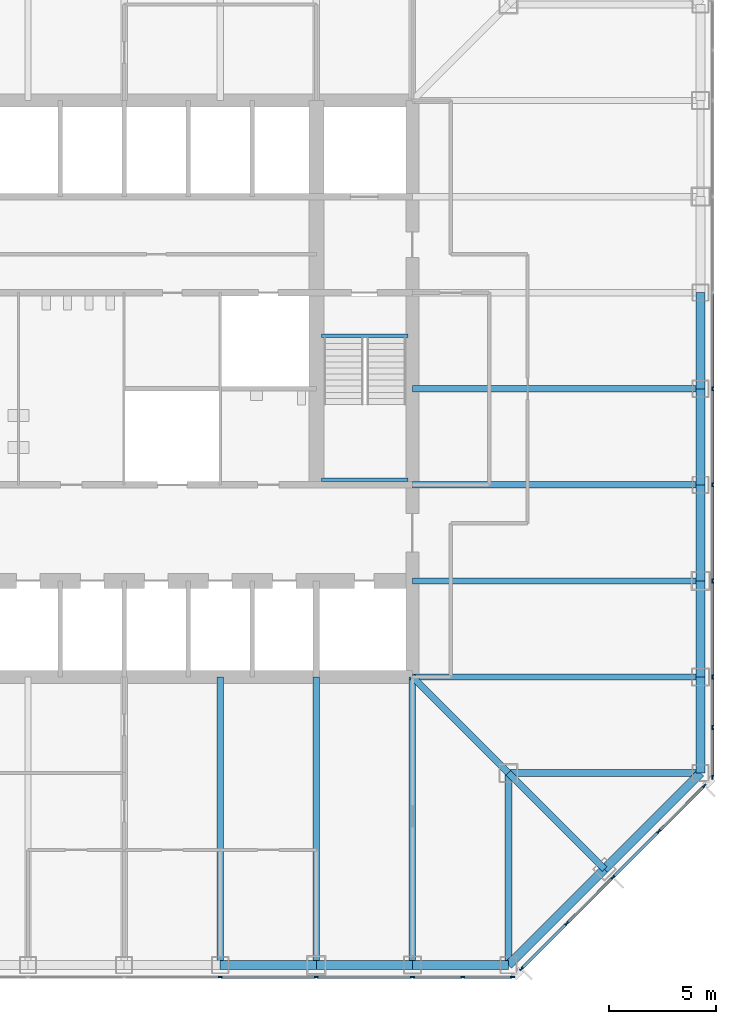
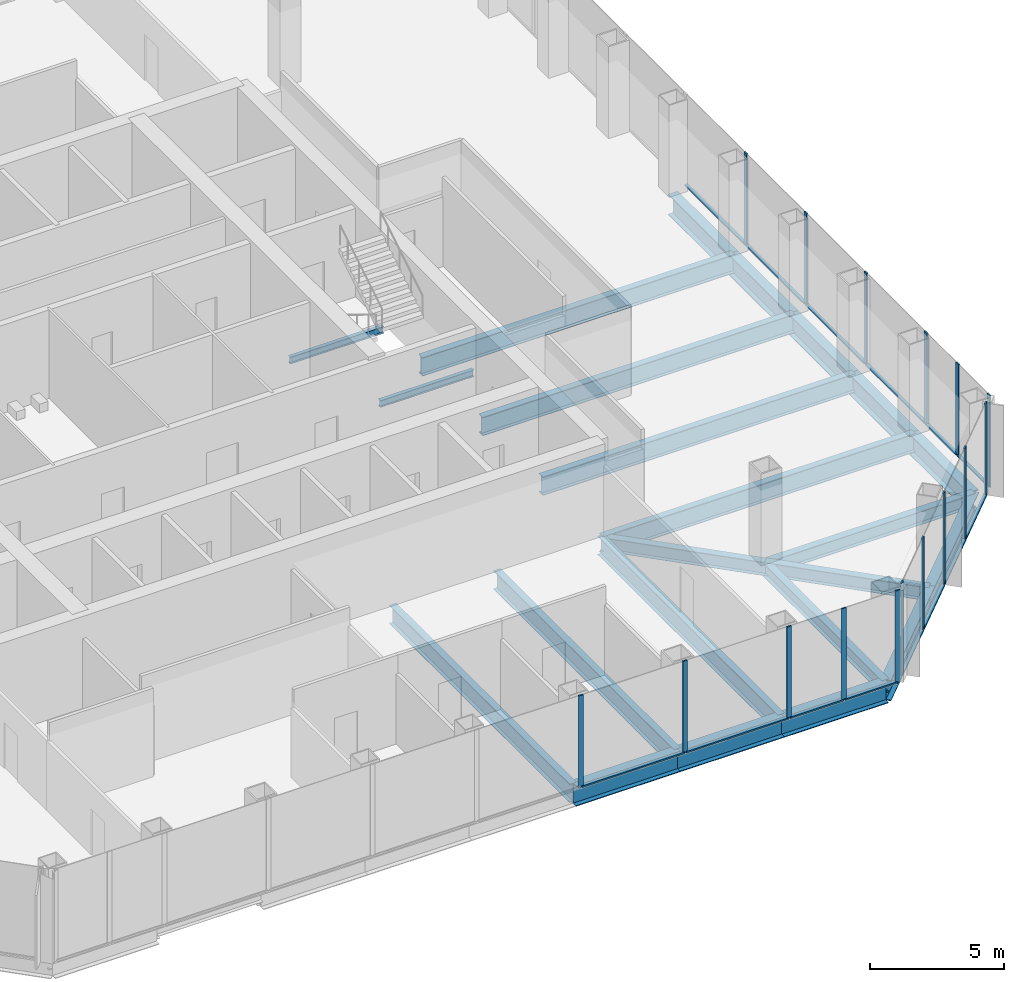
# One storey, part 4 of 12: 30 members, 23 beams, 3 elements without a shape of their own.
"""IFC4 building model written with IfcOpenShell, lengths in metres."""

from ifc_helpers import new_model, si_unit, direction, frame, origin, origin_2d, place, context, subcontext, project, spatial, rectangle, i_section, extrude, material, material_profile, profile_set, type_object, element, aggregate, save


model = new_model("IFC4")

# Units and contexts
model_context = context("Model", 3, precision=1e-05, world=origin(), true_north=direction((0.0, 1.0)))
body_context = subcontext(model_context, "Body", "Model", "MODEL_VIEW")
ifc_project = project(units=[si_unit("LENGTHUNIT", "METRE"), si_unit("AREAUNIT", "SQUARE_METRE"), si_unit("VOLUMEUNIT", "CUBIC_METRE"), si_unit("PLANEANGLEUNIT", "RADIAN"), si_unit("MASSUNIT", "GRAM", prefix="KILO")], contexts=[model_context])

# Site, building, storey
site_placement = place(None, origin())
site = spatial("IfcSite", under=ifc_project, at=site_placement, CompositionType="ELEMENT")
building_placement = place(site_placement, origin())
building = spatial("IfcBuilding", under=site, at=building_placement, Name="Corais Broadcast Tower", CompositionType="ELEMENT")
storey_placement = place(building_placement, frame((0.0, 0.0, 92.0)))
storey = spatial("IfcBuildingStorey", under=building, at=storey_placement, Name="L20", CompositionType="ELEMENT", Elevation=92.0)

# Beams
ifc_material_1 = material(Name="Steel ASTM A572 Grade 50", Category="steel")
ifc_material_profile_1 = material_profile(ifc_material_1, i_section(OverallWidth=0.323974609375, OverallDepth=0.611083984375, WebThickness=0.0126953125, FlangeThickness=0.01904296875, at=origin_2d()), Name="W610x155")
ifc_profile_set_1 = profile_set([ifc_material_profile_1], Name="Steel ASTM A572 Grade 50")
beam_type_1 = type_object("IfcBeamType", Name="Chamfer tie W610x155", PredefinedType="BEAM", material=ifc_profile_set_1)
beam_1_placement = place(storey_placement, frame((49.5, 4.5, -0.465576171875), z_axis=(-0.707106781187, 0.707106781187, 0.0), x_axis=(-0.707106781187, -0.707106781187, 0.0)))
element("IfcBeam", 1, at=beam_1_placement, inside=storey, type_object=beam_type_1, Name="B5 B/14 to C/13", PredefinedType="BEAM", context=body_context, shape_type="SweptSolid", body=[
    extrude(i_section(OverallWidth=0.323974609375, OverallDepth=0.611083984375, WebThickness=0.0126953125, FlangeThickness=0.01904296875, at=origin_2d()), origin(), (0.0, 0.0, 1.0), 6.364013671875),
])
ifc_material_2 = material(Name="Steel ASTM A572 Grade 50", Category="steel")
ifc_material_profile_2 = material_profile(ifc_material_2, i_section(OverallWidth=0.323974609375, OverallDepth=0.611083984375, WebThickness=0.0126953125, FlangeThickness=0.01904296875, at=origin_2d()), Name="W610x155")
ifc_profile_set_2 = profile_set([ifc_material_profile_2], Name="Steel ASTM A572 Grade 50")
beam_type_2 = type_object("IfcBeamType", Name="Corner diagonal W610x155", PredefinedType="BEAM", material=ifc_profile_set_2)
beam_2_placement = place(storey_placement, frame((45.0, 9.0, -0.465576171875), z_axis=(-0.707106781187, 0.707106781187, 0.0), x_axis=(-0.707106781187, -0.707106781187, 0.0)))
element("IfcBeam", 2, at=beam_2_placement, inside=storey, type_object=beam_type_2, Name="B6 C/13 to D/12", PredefinedType="BEAM", context=body_context, shape_type="SweptSolid", body=[
    extrude(i_section(OverallWidth=0.323974609375, OverallDepth=0.611083984375, WebThickness=0.0126953125, FlangeThickness=0.01904296875, at=origin_2d()), origin(), (0.0, 0.0, 1.0), 6.364013671875),
])
ifc_material_3 = material(Name="Steel ASTM A572 Grade 50", Category="steel")
ifc_material_profile_3 = material_profile(ifc_material_3, i_section(OverallWidth=0.323974609375, OverallDepth=0.611083984375, WebThickness=0.0126953125, FlangeThickness=0.01904296875, at=origin_2d()), Name="W610x155")
ifc_profile_set_3 = profile_set([ifc_material_profile_3], Name="Steel ASTM A572 Grade 50")
beam_type_3 = type_object("IfcBeamType", Name="Corner girder W610x155", PredefinedType="BEAM", material=ifc_profile_set_3)
for number, where, z_axis, x_axis, name in (
    (3, (45.0, 0.0, -0.465576171875), (0.0, 1.0, 0.0), (-1.0, 0.0, 0.0), "B4 A/13 to C/13"),
    (4, (54.0, 9.0, -0.465576171875), (-1.0, 0.0, 0.0), (0.0, -1.0, 0.0), "B4 C/15 to C/13"),
):
    element("IfcBeam", number, at=place(storey_placement, frame(where, z_axis=z_axis, x_axis=x_axis)), inside=storey, type_object=beam_type_3, Name=name, PredefinedType="BEAM", context=body_context, shape_type="SweptSolid", body=[
        extrude(i_section(OverallWidth=0.323974609375, OverallDepth=0.611083984375, WebThickness=0.0126953125, FlangeThickness=0.01904296875, at=origin_2d()), origin(), (0.0, 0.0, 1.0), 9.0),
    ])
ifc_material_4 = material(Name="Steel ASTM A572 Grade 50", Category="steel")
ifc_material_profile_4 = material_profile(ifc_material_4, i_section(OverallWidth=0.2939453125, OverallDepth=0.85107421875, WebThickness=0.01611328125, FlangeThickness=0.02685546875, at=origin_2d()), Name="W840x226")
ifc_profile_set_4 = profile_set([ifc_material_profile_4], Name="Steel ASTM A572 Grade 50")
beam_type_4 = type_object("IfcBeamType", Name="Floor beam W840x226", PredefinedType="BEAM", material=ifc_profile_set_4)
for number, where, z_axis, x_axis, name in (
    (5, (31.5, 0.0, -0.58544921875), (0.0, 1.0, 0.0), (-1.0, 0.0, 0.0), "B1 A/10 to D/10"),
    (6, (36.0, 0.0, -0.58544921875), (0.0, 1.0, 0.0), (-1.0, 0.0, 0.0), "B1 A/11 to D/11"),
    (7, (40.5, 0.0, -0.58544921875), (0.0, 1.0, 0.0), (-1.0, 0.0, 0.0), "B1 A/12 to D/12"),
    (8, (54.0, 13.5, -0.58544921875), (-1.0, 0.0, 0.0), (0.0, -1.0, 0.0), "B1 D/15 to D/12"),
    (9, (54.0, 18.0, -0.58544921875), (-1.0, 0.0, 0.0), (0.0, -1.0, 0.0), "B1 E/15 to E/12"),
    (10, (54.0, 22.5, -0.58544921875), (-1.0, 0.0, 0.0), (0.0, -1.0, 0.0), "B1 F/15 to F/12"),
    (11, (54.0, 27.0, -0.58544921875), (-1.0, 0.0, 0.0), (0.0, -1.0, 0.0), "B1 G/15 to G/12"),
):
    element("IfcBeam", number, at=place(storey_placement, frame(where, z_axis=z_axis, x_axis=x_axis)), inside=storey, type_object=beam_type_4, Name=name, PredefinedType="BEAM", context=body_context, shape_type="SweptSolid", body=[
        extrude(i_section(OverallWidth=0.2939453125, OverallDepth=0.85107421875, WebThickness=0.01611328125, FlangeThickness=0.02685546875, at=origin_2d()), origin(), (0.0, 0.0, 1.0), 13.5),
    ])
ifc_material_5 = material(Name="Steel ASTM A572 Grade 50", Category="steel")
ifc_material_profile_5 = material_profile(ifc_material_5, i_section(OverallWidth=0.1650390625, OverallDepth=0.31005859375, WebThickness=0.005859375, FlangeThickness=0.009765625, at=origin_2d()), Name="W310x38.7")
ifc_profile_set_5 = profile_set([ifc_material_profile_5], Name="Steel ASTM A572 Grade 50")
beam_type_5 = type_object("IfcBeamType", Name="Landing trimmer W310x38.7", PredefinedType="BEAM", material=ifc_profile_set_5)
for number, where, z_axis, x_axis, name in (
    (12, (36.25, 29.47509765625, -0.35498046875), (1.0, 0.0, 0.0), (0.0, 1.0, 0.0), "LT1 stair B landing trimmer L20"),
    (13, (36.25, 22.739990234375, 1.7451171875), (1.0, 0.0, 0.0), (0.0, 1.0, 0.0), "LT1 stair B half landing trimmer L20"),
):
    element("IfcBeam", number, at=place(storey_placement, frame(where, z_axis=z_axis, x_axis=x_axis)), inside=storey, type_object=beam_type_5, Name=name, PredefinedType="BEAM", context=body_context, shape_type="SweptSolid", body=[
        extrude(i_section(OverallWidth=0.1650390625, OverallDepth=0.31005859375, WebThickness=0.005859375, FlangeThickness=0.009765625, at=origin_2d()), origin(), (0.0, 0.0, 1.0), 4.050048828125),
    ])

# Curtain wall, members
ifc_material_6 = material(Name="Aluminium and glass", Category="aluminium")
curtain_wall_type = type_object("IfcCurtainWallType", Name="Unitised fritted curtain wall CW1", PredefinedType="NOTDEFINED", material=ifc_material_6)
curtain_wall_1_placement = place(storey_placement, origin())
curtain_wall_1 = element("IfcCurtainWall", 14, at=curtain_wall_1_placement, inside=storey, type_object=curtain_wall_type, Name="CW1 curtain wall L20 6", PredefinedType="NOTDEFINED")
ifc_material_7 = material(Name="Aluminium 6063-T6", Category="aluminium")
ifc_material_profile_6 = material_profile(ifc_material_7, rectangle(XDim=0.06494140625, YDim=0.199951171875, at=origin_2d()), Name="Mullion CW1 65x200")
ifc_profile_set_6 = profile_set([ifc_material_profile_6], Name="Aluminium 6063-T6")
member_type_1 = type_object("IfcMemberType", Name="Mullion CW1 65x200", PredefinedType="MULLION", material=ifc_profile_set_6)
member_1_placement = place(storey_placement, frame((54.550048828125, 27.0, 0.0), z_axis=(0.0, 0.0, 1.0), x_axis=(1.0, 0.0, 0.0)))
member_1 = element("IfcMember", 15, at=member_1_placement, type_object=member_type_1, Name="CW1 mullion 6", PredefinedType="MULLION", context=body_context, shape_type="SweptSolid", body=[
    extrude(rectangle(XDim=0.06494140625, YDim=0.199951171875, at=origin_2d()), origin(), (0.0, 0.0, 1.0), 4.199951171875),
])
member_2_placement = place(storey_placement, frame((54.550048828125, 22.5, 0.0), z_axis=(0.0, 0.0, 1.0), x_axis=(1.0, 0.0, 0.0)))
member_2 = element("IfcMember", 16, at=member_2_placement, type_object=member_type_1, Name="CW1 mullion 7", PredefinedType="MULLION", context=body_context, shape_type="SweptSolid", body=[
    extrude(rectangle(XDim=0.06494140625, YDim=0.199951171875, at=origin_2d()), origin(), (0.0, 0.0, 1.0), 4.199951171875),
])
member_3_placement = place(storey_placement, frame((54.550048828125, 18.0, 0.0), z_axis=(0.0, 0.0, 1.0), x_axis=(1.0, 0.0, 0.0)))
member_3 = element("IfcMember", 17, at=member_3_placement, type_object=member_type_1, Name="CW1 mullion 8", PredefinedType="MULLION", context=body_context, shape_type="SweptSolid", body=[
    extrude(rectangle(XDim=0.06494140625, YDim=0.199951171875, at=origin_2d()), origin(), (0.0, 0.0, 1.0), 4.199951171875),
])
member_4_placement = place(storey_placement, frame((54.550048828125, 13.5, 0.0), z_axis=(0.0, 0.0, 1.0), x_axis=(1.0, 0.0, 0.0)))
member_4 = element("IfcMember", 18, at=member_4_placement, type_object=member_type_1, Name="CW1 mullion 9", PredefinedType="MULLION", context=body_context, shape_type="SweptSolid", body=[
    extrude(rectangle(XDim=0.06494140625, YDim=0.199951171875, at=origin_2d()), origin(), (0.0, 0.0, 1.0), 4.199951171875),
])
member_5_placement = place(storey_placement, frame((54.550048828125, 11.135986328125, 0.0), z_axis=(0.0, 0.0, 1.0), x_axis=(1.0, 0.0, 0.0)))
member_5 = element("IfcMember", 19, at=member_5_placement, type_object=member_type_1, Name="CW1 mullion 10", PredefinedType="MULLION", context=body_context, shape_type="SweptSolid", body=[
    extrude(rectangle(XDim=0.06494140625, YDim=0.199951171875, at=origin_2d()), origin(), (0.0, 0.0, 1.0), 4.199951171875),
])
member_6_placement = place(storey_placement, frame((54.550048828125, 8.8046875, 0.0), z_axis=(0.0, 0.0, 1.0), x_axis=(1.0, 0.0, 0.0)))
member_6 = element("IfcMember", 20, at=member_6_placement, type_object=member_type_1, Name="CW1 mullion 11", PredefinedType="MULLION", context=body_context, shape_type="SweptSolid", body=[
    extrude(rectangle(XDim=0.06494140625, YDim=0.199951171875, at=origin_2d()), origin(), (0.0, 0.0, 1.0), 4.199951171875),
])

curtain_wall_2_placement = place(storey_placement, origin())
curtain_wall_2 = element("IfcCurtainWall", 21, at=curtain_wall_2_placement, inside=storey, type_object=curtain_wall_type, Name="CW1 curtain wall L20 7", PredefinedType="NOTDEFINED")
member_7_placement = place(storey_placement, frame((54.17333984375, 8.3955078125, 0.0), z_axis=(0.0, 0.0, 1.0), x_axis=(0.707106781187, -0.707106781187, 0.0)))
member_7 = element("IfcMember", 22, at=member_7_placement, type_object=member_type_1, Name="CW1 mullion 1", PredefinedType="MULLION", context=body_context, shape_type="SweptSolid", body=[
    extrude(rectangle(XDim=0.06494140625, YDim=0.199951171875, at=origin_2d()), origin(), (0.0, 0.0, 1.0), 4.199951171875),
])
member_8_placement = place(storey_placement, frame((52.042724609375, 6.264892578125, 0.0), z_axis=(0.0, 0.0, 1.0), x_axis=(0.707106781187, -0.707106781187, 0.0)))
member_8 = element("IfcMember", 23, at=member_8_placement, type_object=member_type_1, Name="CW1 mullion 2", PredefinedType="MULLION", context=body_context, shape_type="SweptSolid", body=[
    extrude(rectangle(XDim=0.06494140625, YDim=0.199951171875, at=origin_2d()), origin(), (0.0, 0.0, 1.0), 4.199951171875),
])
member_9_placement = place(storey_placement, frame((49.888916015625, 4.111083984375, 0.0), z_axis=(0.0, 0.0, 1.0), x_axis=(0.707106781187, -0.707106781187, 0.0)))
member_9 = element("IfcMember", 24, at=member_9_placement, type_object=member_type_1, Name="CW1 mullion 3", PredefinedType="MULLION", context=body_context, shape_type="SweptSolid", body=[
    extrude(rectangle(XDim=0.06494140625, YDim=0.199951171875, at=origin_2d()), origin(), (0.0, 0.0, 1.0), 4.199951171875),
])
member_10_placement = place(storey_placement, frame((47.735107421875, 1.957275390625, 0.0), z_axis=(0.0, 0.0, 1.0), x_axis=(0.707106781187, -0.707106781187, 0.0)))
member_10 = element("IfcMember", 25, at=member_10_placement, type_object=member_type_1, Name="CW1 mullion 4", PredefinedType="MULLION", context=body_context, shape_type="SweptSolid", body=[
    extrude(rectangle(XDim=0.06494140625, YDim=0.199951171875, at=origin_2d()), origin(), (0.0, 0.0, 1.0), 4.199951171875),
])
member_11_placement = place(storey_placement, frame((45.6044921875, -0.17333984375, 0.0), z_axis=(0.0, 0.0, 1.0), x_axis=(0.707106781187, -0.707106781187, 0.0)))
member_11 = element("IfcMember", 26, at=member_11_placement, type_object=member_type_1, Name="CW1 mullion 5", PredefinedType="MULLION", context=body_context, shape_type="SweptSolid", body=[
    extrude(rectangle(XDim=0.06494140625, YDim=0.199951171875, at=origin_2d()), origin(), (0.0, 0.0, 1.0), 4.199951171875),
])

curtain_wall_3_placement = place(storey_placement, origin())
curtain_wall_3 = element("IfcCurtainWall", 27, at=curtain_wall_3_placement, inside=storey, type_object=curtain_wall_type, Name="CW1 curtain wall L20 8", PredefinedType="NOTDEFINED")
member_12_placement = place(storey_placement, frame((45.1953125, -0.550048828125, 0.0), z_axis=(0.0, 0.0, 1.0), x_axis=(0.0, -1.0, 0.0)))
member_12 = element("IfcMember", 28, at=member_12_placement, type_object=member_type_1, Name="CW1 mullion 1", PredefinedType="MULLION", context=body_context, shape_type="SweptSolid", body=[
    extrude(rectangle(XDim=0.06494140625, YDim=0.199951171875, at=origin_2d()), origin(), (0.0, 0.0, 1.0), 4.199951171875),
])
member_13_placement = place(storey_placement, frame((42.864013671875, -0.550048828125, 0.0), z_axis=(0.0, 0.0, 1.0), x_axis=(0.0, -1.0, 0.0)))
member_13 = element("IfcMember", 29, at=member_13_placement, type_object=member_type_1, Name="CW1 mullion 2", PredefinedType="MULLION", context=body_context, shape_type="SweptSolid", body=[
    extrude(rectangle(XDim=0.06494140625, YDim=0.199951171875, at=origin_2d()), origin(), (0.0, 0.0, 1.0), 4.199951171875),
])
member_14_placement = place(storey_placement, frame((40.5, -0.550048828125, 0.0), z_axis=(0.0, 0.0, 1.0), x_axis=(0.0, -1.0, 0.0)))
member_14 = element("IfcMember", 30, at=member_14_placement, type_object=member_type_1, Name="CW1 mullion 3", PredefinedType="MULLION", context=body_context, shape_type="SweptSolid", body=[
    extrude(rectangle(XDim=0.06494140625, YDim=0.199951171875, at=origin_2d()), origin(), (0.0, 0.0, 1.0), 4.199951171875),
])
member_15_placement = place(storey_placement, frame((36.0, -0.550048828125, 0.0), z_axis=(0.0, 0.0, 1.0), x_axis=(0.0, -1.0, 0.0)))
member_15 = element("IfcMember", 31, at=member_15_placement, type_object=member_type_1, Name="CW1 mullion 4", PredefinedType="MULLION", context=body_context, shape_type="SweptSolid", body=[
    extrude(rectangle(XDim=0.06494140625, YDim=0.199951171875, at=origin_2d()), origin(), (0.0, 0.0, 1.0), 4.199951171875),
])
member_16_placement = place(storey_placement, frame((31.5, -0.550048828125, 0.0), z_axis=(0.0, 0.0, 1.0), x_axis=(0.0, -1.0, 0.0)))
member_16 = element("IfcMember", 32, at=member_16_placement, type_object=member_type_1, Name="CW1 mullion 5", PredefinedType="MULLION", context=body_context, shape_type="SweptSolid", body=[
    extrude(rectangle(XDim=0.06494140625, YDim=0.199951171875, at=origin_2d()), origin(), (0.0, 0.0, 1.0), 4.199951171875),
])

# Beams
ifc_material_8 = material(Name="Steel ASTM A572 Grade 50", Category="steel")
ifc_material_profile_7 = material_profile(ifc_material_8, i_section(OverallWidth=0.4189453125, OverallDepth=0.94189453125, WebThickness=0.022216796875, FlangeThickness=0.03662109375, at=origin_2d()), Name="W920x345")
ifc_profile_set_7 = profile_set([ifc_material_profile_7], Name="Steel ASTM A572 Grade 50")
beam_type_6 = type_object("IfcBeamType", Name="Transfer spandrel W920x345", PredefinedType="BEAM", material=ifc_profile_set_7)
for number, where, z_axis, x_axis, name in (
    (33, (31.5, 0.0, -0.631103515625), (1.0, 0.0, 0.0), (0.0, 1.0, 0.0), "SB4 A/10 to A/11"),
    (34, (36.0, 0.0, -0.631103515625), (1.0, 0.0, 0.0), (0.0, 1.0, 0.0), "SB4 A/11 to A/12"),
    (35, (40.5, 0.0, -0.631103515625), (1.0, 0.0, 0.0), (0.0, 1.0, 0.0), "SB4 A/12 to A/13"),
):
    element("IfcBeam", number, at=place(storey_placement, frame(where, z_axis=z_axis, x_axis=x_axis)), inside=storey, type_object=beam_type_6, Name=name, PredefinedType="BEAM", context=body_context, shape_type="SweptSolid", body=[
        extrude(i_section(OverallWidth=0.4189453125, OverallDepth=0.94189453125, WebThickness=0.022216796875, FlangeThickness=0.03662109375, at=origin_2d()), origin(), (0.0, 0.0, 1.0), 4.5),
    ])
for number, where, z_axis, x_axis, name in (
    (36, (45.0, 0.0, -0.631103515625), (0.707106781187, 0.707106781187, 0.0), (-0.707106781187, 0.707106781187, 0.0), "SB4 A/13 to B/14"),
    (37, (49.5, 4.5, -0.631103515625), (0.707106781187, 0.707106781187, 0.0), (-0.707106781187, 0.707106781187, 0.0), "SB4 B/14 to C/15"),
):
    element("IfcBeam", number, at=place(storey_placement, frame(where, z_axis=z_axis, x_axis=x_axis)), inside=storey, type_object=beam_type_6, Name=name, PredefinedType="BEAM", context=body_context, shape_type="SweptSolid", body=[
        extrude(i_section(OverallWidth=0.4189453125, OverallDepth=0.94189453125, WebThickness=0.022216796875, FlangeThickness=0.03662109375, at=origin_2d()), origin(), (0.0, 0.0, 1.0), 6.364013671875),
    ])
for number, where, z_axis, x_axis, name in (
    (38, (54.0, 13.5, -0.631103515625), (0.0, 1.0, 0.0), (-1.0, 0.0, 0.0), "SB4 D/15 to E/15"),
    (39, (54.0, 18.0, -0.631103515625), (0.0, 1.0, 0.0), (-1.0, 0.0, 0.0), "SB4 E/15 to F/15"),
    (40, (54.0, 22.5, -0.631103515625), (0.0, 1.0, 0.0), (-1.0, 0.0, 0.0), "SB4 F/15 to G/15"),
    (41, (54.0, 27.0, -0.631103515625), (0.0, 1.0, 0.0), (-1.0, 0.0, 0.0), "SB4 G/15 to H/15"),
    (42, (54.0, 9.0, -0.631103515625), (0.0, 1.0, 0.0), (-1.0, 0.0, 0.0), "SB4 C/15 to D/15"),
):
    element("IfcBeam", number, at=place(storey_placement, frame(where, z_axis=z_axis, x_axis=x_axis)), inside=storey, type_object=beam_type_6, Name=name, PredefinedType="BEAM", context=body_context, shape_type="SweptSolid", body=[
        extrude(i_section(OverallWidth=0.4189453125, OverallDepth=0.94189453125, WebThickness=0.022216796875, FlangeThickness=0.03662109375, at=origin_2d()), origin(), (0.0, 0.0, 1.0), 4.5),
    ])

# Member
ifc_material_9 = material(Name="Aluminium 6063-T6", Category="aluminium")
ifc_material_profile_8 = material_profile(ifc_material_9, rectangle(XDim=0.139892578125, YDim=0.06494140625, at=origin_2d()), Name="Transom CW1 65x140")
ifc_profile_set_8 = profile_set([ifc_material_profile_8], Name="Aluminium 6063-T6")
member_type_2 = type_object("IfcMemberType", Name="Transom CW1 65x140", PredefinedType="USERDEFINED", material=ifc_profile_set_8)
member_17_placement = place(storey_placement, frame((54.550048828125, 31.467529296875, 0.032470703125), z_axis=(0.0, -1.0, 0.0), x_axis=(1.0, 0.0, 0.0)))
member_17 = element("IfcMember", 43, at=member_17_placement, type_object=member_type_2, Name="CW1 transom 5.1", ObjectType="TRANSOM", PredefinedType="USERDEFINED", context=body_context, shape_type="SweptSolid", body=[
    extrude(rectangle(XDim=0.139892578125, YDim=0.06494140625, at=origin_2d()), origin(), (0.0, 0.0, 1.0), 4.43505859375),
])

member_18_placement = place(storey_placement, frame((54.550048828125, 26.967529296875, 0.032470703125), z_axis=(0.0, -1.0, 0.0), x_axis=(1.0, 0.0, 0.0)))
member_18 = element("IfcMember", 44, at=member_18_placement, type_object=member_type_2, Name="CW1 transom 6.1", ObjectType="TRANSOM", PredefinedType="USERDEFINED", context=body_context, shape_type="SweptSolid", body=[
    extrude(rectangle(XDim=0.139892578125, YDim=0.06494140625, at=origin_2d()), origin(), (0.0, 0.0, 1.0), 4.43505859375),
])

member_19_placement = place(storey_placement, frame((54.550048828125, 22.467529296875, 0.032470703125), z_axis=(0.0, -1.0, 0.0), x_axis=(1.0, 0.0, 0.0)))
member_19 = element("IfcMember", 45, at=member_19_placement, type_object=member_type_2, Name="CW1 transom 7.1", ObjectType="TRANSOM", PredefinedType="USERDEFINED", context=body_context, shape_type="SweptSolid", body=[
    extrude(rectangle(XDim=0.139892578125, YDim=0.06494140625, at=origin_2d()), origin(), (0.0, 0.0, 1.0), 4.43505859375),
])

member_20_placement = place(storey_placement, frame((54.550048828125, 17.967529296875, 0.032470703125), z_axis=(0.0, -1.0, 0.0), x_axis=(1.0, 0.0, 0.0)))
member_20 = element("IfcMember", 46, at=member_20_placement, type_object=member_type_2, Name="CW1 transom 8.1", ObjectType="TRANSOM", PredefinedType="USERDEFINED", context=body_context, shape_type="SweptSolid", body=[
    extrude(rectangle(XDim=0.139892578125, YDim=0.06494140625, at=origin_2d()), origin(), (0.0, 0.0, 1.0), 4.43505859375),
])

member_21_placement = place(storey_placement, frame((54.550048828125, 13.467529296875, 0.032470703125), z_axis=(0.0, -1.0, 0.0), x_axis=(1.0, 0.0, 0.0)))
member_21 = element("IfcMember", 47, at=member_21_placement, type_object=member_type_2, Name="CW1 transom 9.1", ObjectType="TRANSOM", PredefinedType="USERDEFINED", context=body_context, shape_type="SweptSolid", body=[
    extrude(rectangle(XDim=0.139892578125, YDim=0.06494140625, at=origin_2d()), origin(), (0.0, 0.0, 1.0), 2.298828125),
])

member_22_placement = place(storey_placement, frame((54.550048828125, 11.103515625, 0.032470703125), z_axis=(0.0, -1.0, 0.0), x_axis=(1.0, 0.0, 0.0)))
member_22 = element("IfcMember", 48, at=member_22_placement, type_object=member_type_2, Name="CW1 transom 10.1", ObjectType="TRANSOM", PredefinedType="USERDEFINED", context=body_context, shape_type="SweptSolid", body=[
    extrude(rectangle(XDim=0.139892578125, YDim=0.06494140625, at=origin_2d()), origin(), (0.0, 0.0, 1.0), 2.266357421875),
])

aggregate(curtain_wall_1, [member_1, member_2, member_3, member_4, member_5, member_6, member_17, member_18, member_19, member_20, member_21, member_22])

member_23_placement = place(storey_placement, frame((54.150390625, 8.37255859375, 0.032470703125), z_axis=(-0.707106781187, -0.707106781187, 0.0), x_axis=(0.707106781187, -0.707106781187, 0.0)))
member_23 = element("IfcMember", 49, at=member_23_placement, type_object=member_type_2, Name="CW1 transom 1.1", ObjectType="TRANSOM", PredefinedType="USERDEFINED", context=body_context, shape_type="SweptSolid", body=[
    extrude(rectangle(XDim=0.139892578125, YDim=0.06494140625, at=origin_2d()), origin(), (0.0, 0.0, 1.0), 2.9482421875),
])

member_24_placement = place(storey_placement, frame((52.019775390625, 6.241943359375, 0.032470703125), z_axis=(-0.707106781187, -0.707106781187, 0.0), x_axis=(0.707106781187, -0.707106781187, 0.0)))
member_24 = element("IfcMember", 50, at=member_24_placement, type_object=member_type_2, Name="CW1 transom 2.1", ObjectType="TRANSOM", PredefinedType="USERDEFINED", context=body_context, shape_type="SweptSolid", body=[
    extrude(rectangle(XDim=0.139892578125, YDim=0.06494140625, at=origin_2d()), origin(), (0.0, 0.0, 1.0), 2.98095703125),
])

member_25_placement = place(storey_placement, frame((49.865966796875, 4.088134765625, 0.032470703125), z_axis=(-0.707106781187, -0.707106781187, 0.0), x_axis=(0.707106781187, -0.707106781187, 0.0)))
member_25 = element("IfcMember", 51, at=member_25_placement, type_object=member_type_2, Name="CW1 transom 3.1", ObjectType="TRANSOM", PredefinedType="USERDEFINED", context=body_context, shape_type="SweptSolid", body=[
    extrude(rectangle(XDim=0.139892578125, YDim=0.06494140625, at=origin_2d()), origin(), (0.0, 0.0, 1.0), 2.98095703125),
])

member_26_placement = place(storey_placement, frame((47.712158203125, 1.934326171875, 0.032470703125), z_axis=(-0.707106781187, -0.707106781187, 0.0), x_axis=(0.707106781187, -0.707106781187, 0.0)))
member_26 = element("IfcMember", 52, at=member_26_placement, type_object=member_type_2, Name="CW1 transom 4.1", ObjectType="TRANSOM", PredefinedType="USERDEFINED", context=body_context, shape_type="SweptSolid", body=[
    extrude(rectangle(XDim=0.139892578125, YDim=0.06494140625, at=origin_2d()), origin(), (0.0, 0.0, 1.0), 2.9482421875),
])

aggregate(curtain_wall_2, [member_7, member_8, member_9, member_10, member_11, member_23, member_24, member_25, member_26])

member_27_placement = place(storey_placement, frame((45.162841796875, -0.550048828125, 0.032470703125), z_axis=(-1.0, 0.0, 0.0), x_axis=(0.0, -1.0, 0.0)))
member_27 = element("IfcMember", 53, at=member_27_placement, type_object=member_type_2, Name="CW1 transom 1.1", ObjectType="TRANSOM", PredefinedType="USERDEFINED", context=body_context, shape_type="SweptSolid", body=[
    extrude(rectangle(XDim=0.139892578125, YDim=0.06494140625, at=origin_2d()), origin(), (0.0, 0.0, 1.0), 2.266357421875),
])

member_28_placement = place(storey_placement, frame((42.831298828125, -0.550048828125, 0.032470703125), z_axis=(-1.0, 0.0, 0.0), x_axis=(0.0, -1.0, 0.0)))
member_28 = element("IfcMember", 54, at=member_28_placement, type_object=member_type_2, Name="CW1 transom 2.1", ObjectType="TRANSOM", PredefinedType="USERDEFINED", context=body_context, shape_type="SweptSolid", body=[
    extrude(rectangle(XDim=0.139892578125, YDim=0.06494140625, at=origin_2d()), origin(), (0.0, 0.0, 1.0), 2.298828125),
])

member_29_placement = place(storey_placement, frame((40.467529296875, -0.550048828125, 0.032470703125), z_axis=(-1.0, 0.0, 0.0), x_axis=(0.0, -1.0, 0.0)))
member_29 = element("IfcMember", 55, at=member_29_placement, type_object=member_type_2, Name="CW1 transom 3.1", ObjectType="TRANSOM", PredefinedType="USERDEFINED", context=body_context, shape_type="SweptSolid", body=[
    extrude(rectangle(XDim=0.139892578125, YDim=0.06494140625, at=origin_2d()), origin(), (0.0, 0.0, 1.0), 4.43505859375),
])

member_30_placement = place(storey_placement, frame((35.967529296875, -0.550048828125, 0.032470703125), z_axis=(-1.0, 0.0, 0.0), x_axis=(0.0, -1.0, 0.0)))
member_30 = element("IfcMember", 56, at=member_30_placement, type_object=member_type_2, Name="CW1 transom 4.1", ObjectType="TRANSOM", PredefinedType="USERDEFINED", context=body_context, shape_type="SweptSolid", body=[
    extrude(rectangle(XDim=0.139892578125, YDim=0.06494140625, at=origin_2d()), origin(), (0.0, 0.0, 1.0), 4.43505859375),
])

aggregate(curtain_wall_3, [member_12, member_13, member_14, member_15, member_16, member_27, member_28, member_29, member_30])

save(model, "model.ifc")
